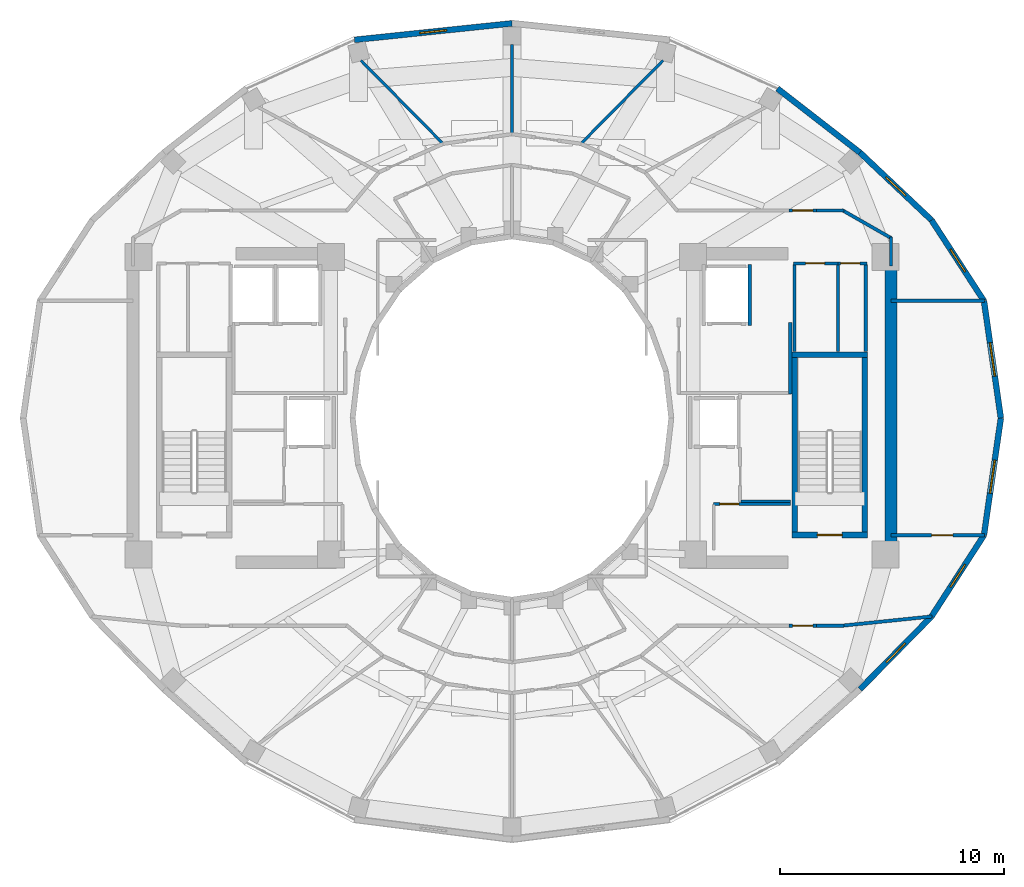
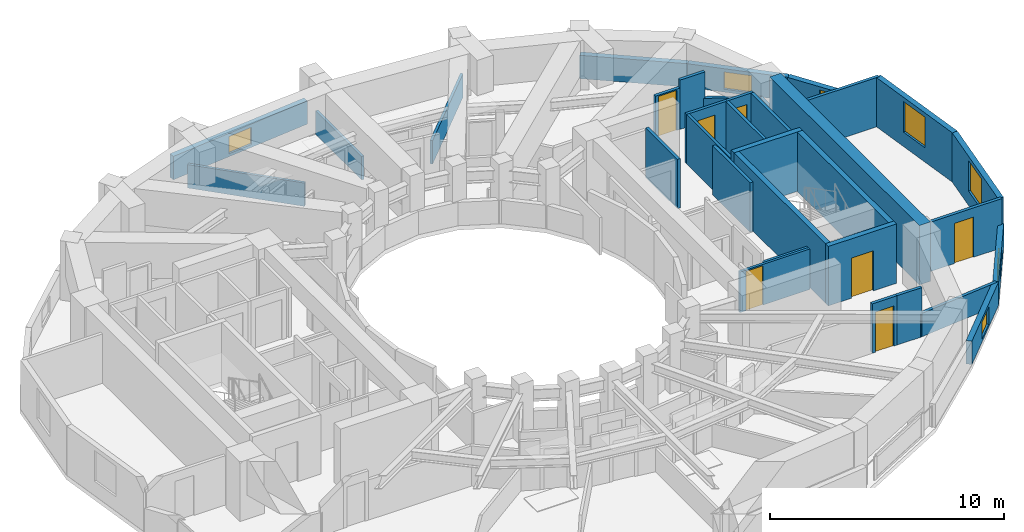
# One storey, part 14 of 17: 34 walls, 7 doors, 7 windows, 14 openings.
"""IFC4 building model written with IfcOpenShell, lengths in metres."""

from ifc_helpers import new_model, si_unit, direction, frame, frame_2d, origin, place, context, subcontext, project, spatial, rectangle, extrude, material, layer, layer_set, type_object, element, fill, save


model = new_model("IFC4")

# Units and contexts
model_context = context("Model", 3, precision=1e-05, world=origin(), true_north=direction((0.0, 1.0)))
body_context = subcontext(model_context, "Body", "Model", "MODEL_VIEW")
ifc_project = project(units=[si_unit("LENGTHUNIT", "METRE"), si_unit("AREAUNIT", "SQUARE_METRE"), si_unit("VOLUMEUNIT", "CUBIC_METRE"), si_unit("PLANEANGLEUNIT", "RADIAN"), si_unit("MASSUNIT", "GRAM", prefix="KILO")], contexts=[model_context])

# Site, building, storey
site_placement = place(None, origin())
site = spatial("IfcSite", under=ifc_project, at=site_placement, CompositionType="ELEMENT")
building_placement = place(site_placement, origin())
building = spatial("IfcBuilding", under=site, at=building_placement, Name="Solvane Sanctuary Tower", CompositionType="ELEMENT")
storey_placement = place(building_placement, frame((0.0, 0.0, 235.699951171875)))
storey = spatial("IfcBuildingStorey", under=building, at=storey_placement, Name="L72", CompositionType="ELEMENT", Elevation=235.699951171875)

# Walls
ifc_material_1 = material(Name="Concrete C50/60", Category="concrete")
ifc_layer_1 = layer(ifc_material_1, 0.550048828125, Name="Concrete C50/60")
ifc_layer_set_1 = layer_set([ifc_layer_1], Name="Concrete C50/60")
wall_type_1 = type_object("IfcWallType", Name="Wall W-CORE-550", PredefinedType="SHEAR", material=ifc_layer_set_1)
wall_1_placement = place(storey_placement, frame((48.949951171875, 17.050048828125, 0.0), z_axis=(0.0, 0.0, 1.0), x_axis=(0.0, 1.0, 0.0)))
element("IfcWall", 1, at=wall_1_placement, inside=storey, type_object=wall_type_1, Name="L72 Core Shear Wall EC-E", PredefinedType="SHEAR", context=body_context, shape_type="SweptSolid", body=[
    extrude(rectangle(XDim=12.800048828125, YDim=0.550048828125, at=frame_2d((6.39990234375, 0.0))), origin(), (0.0, 0.0, 1.0), 3.10009765625),
])
ifc_material_2 = material(Name="Acoustic Gypsum Partition Board")
ifc_layer_2 = layer(ifc_material_2, 0.14990234375, Name="Acoustic Gypsum Partition Board")
ifc_layer_set_2 = layer_set([ifc_layer_2], Name="Acoustic Gypsum Partition Board")
wall_type_2 = type_object("IfcWallType", Name="Wall W-CORR-150", PredefinedType="PARTITIONING", material=ifc_layer_set_2)
wall_2_placement = place(storey_placement, frame((44.449951171875, 24.080078125, 0.0), z_axis=(0.0, 0.0, 1.0), x_axis=(0.0, 1.0, 0.0)))
element("IfcWall", 2, at=wall_2_placement, inside=storey, type_object=wall_type_2, Name="L72 East Firefighting Lobby East Wall", PredefinedType="PARTITIONING", context=body_context, shape_type="SweptSolid", body=[
    extrude(rectangle(XDim=3.199951171875, YDim=0.14990234375, at=frame_2d((1.60009765625, 0.0))), origin(), (0.0, 0.0, 1.0), 2.574951171875),
])

# Wall, opening, door
wall_3_placement = place(storey_placement, frame((48.949951171875, 17.754638671875, 0.0), z_axis=(0.0, 0.0, 1.0), x_axis=(1.0, 0.0, 0.0)))
wall_3 = element("IfcWall", 3, at=wall_3_placement, inside=storey, type_object=wall_type_2, Name="L72 East Shoulder South Wall", PredefinedType="PARTITIONING", context=body_context, shape_type="SweptSolid", body=[
    extrude(rectangle(XDim=4.174560546875, YDim=0.14990234375, at=frame_2d((2.08740234375, 0.0))), origin(), (0.0, 0.0, 1.0), 2.574951171875),
])
opening_1_placement = place(wall_3_placement, frame((1.817138671875, 0.0, 0.0)))
opening_1 = element("IfcOpeningElement", 4, at=opening_1_placement, cuts=wall_3, Name="Opening D-L72-17", PredefinedType="OPENING", context=body_context, shape_type="SweptSolid", body=[
    extrude(rectangle(XDim=0.949951171875, YDim=2.10009765625, at=frame_2d((0.47509765625, 1.050048828125))), frame((0.0, 0.0849609375, 0.0), z_axis=(0.0, -1.0, 0.0), x_axis=(1.0, 0.0, 0.0)), (0.0, 0.0, 1.0), 0.169921875),
])
ifc_material_3 = material(Name="Engineered Tropical Hardwood", Category="wood")
door_type_1 = type_object("IfcDoorType", Name="Door D-ROOM-950", OperationType="NOTDEFINED", PredefinedType="DOOR", material=ifc_material_3)
door_1_placement = place(opening_1_placement, origin())
door_1 = element("IfcDoor", 5, at=door_1_placement, inside=storey, type_object=door_type_1, Name="L72 East Shoulder South Door", OperationType="SINGLE_SWING_LEFT", OverallHeight=2.10009765625, OverallWidth=0.949951171875, PredefinedType="DOOR", context=body_context, shape_type="SweptSolid", body=[
    extrude(rectangle(XDim=0.949951171875, YDim=2.10009765625, at=frame_2d((0.47509765625, 1.050048828125))), frame((0.0, 0.02490234375, 0.0), z_axis=(0.0, -1.0, 0.0), x_axis=(1.0, 0.0, 0.0)), (0.0, 0.0, 1.0), 0.050048828125),
])
fill(opening_1, door_1)

# Walls
wall_4_placement = place(storey_placement, frame((48.949951171875, 28.245361328125, 0.0), z_axis=(0.0, 0.0, 1.0), x_axis=(1.0, 0.0, 0.0)))
element("IfcWall", 6, at=wall_4_placement, inside=storey, type_object=wall_type_2, Name="L72 East Shoulder North Wall", PredefinedType="PARTITIONING", context=body_context, shape_type="SweptSolid", body=[
    extrude(rectangle(XDim=4.174560546875, YDim=0.14990234375, at=frame_2d((2.08740234375, 0.0))), origin(), (0.0, 0.0, 1.0), 2.574951171875),
])
wall_5_placement = place(storey_placement, frame((48.949951171875, 29.800048828125, 0.0), z_axis=(0.0, 0.0, 1.0), x_axis=(0.0, 1.0, 0.0)))
element("IfcWall", 7, at=wall_5_placement, inside=storey, type_object=wall_type_2, Name="L72 NE Corner Closer 1", PredefinedType="PARTITIONING", context=body_context, shape_type="SweptSolid", body=[
    extrude(rectangle(XDim=1.2900390625, YDim=0.14990234375, at=frame_2d((0.64501953125, 0.0))), origin(), (0.0, 0.0, 1.0), 1.219970703125),
])

# Wall, opening, door
wall_6_placement = place(storey_placement, frame((44.389892578125, 32.280029296875, 0.0), z_axis=(0.0, 0.0, 1.0), x_axis=(1.0, 0.0, 0.0)))
wall_6 = element("IfcWall", 8, at=wall_6_placement, inside=storey, type_object=wall_type_2, Name="L72 NE Corner Corridor Wall", PredefinedType="PARTITIONING", context=body_context, shape_type="SweptSolid", body=[
    extrude(rectangle(XDim=1.22021484375, YDim=0.14990234375, at=frame_2d((0.610107421875, 0.0))), origin(), (0.0, 0.0, 1.0), 2.16015625),
])
opening_2_placement = place(wall_6_placement, frame((0.159912109375, 0.0, 0.0)))
opening_2 = element("IfcOpeningElement", 9, at=opening_2_placement, cuts=wall_6, Name="Opening D-L72-19", PredefinedType="OPENING", context=body_context, shape_type="SweptSolid", body=[
    extrude(rectangle(XDim=0.89990234375, YDim=2.10009765625, at=frame_2d((0.449951171875, 1.050048828125))), frame((0.0, 0.0849609375, 0.0), z_axis=(0.0, -1.0, 0.0), x_axis=(1.0, 0.0, 0.0)), (0.0, 0.0, 1.0), 0.169921875),
])
door_type_2 = type_object("IfcDoorType", Name="Door D-WET-900", OperationType="NOTDEFINED", PredefinedType="DOOR", material=ifc_material_3)
door_2_placement = place(opening_2_placement, origin())
door_2 = element("IfcDoor", 10, at=door_2_placement, inside=storey, type_object=door_type_2, Name="L72 NE Corner Salon Door", OperationType="SINGLE_SWING_LEFT", OverallHeight=2.10009765625, OverallWidth=0.89990234375, PredefinedType="DOOR", context=body_context, shape_type="SweptSolid", body=[
    extrude(rectangle(XDim=0.89990234375, YDim=2.10009765625, at=frame_2d((0.449951171875, 1.050048828125))), frame((0.0, 0.02490234375, 0.0), z_axis=(0.0, -1.0, 0.0), x_axis=(1.0, 0.0, 0.0)), (0.0, 0.0, 1.0), 0.050048828125),
])
fill(opening_2, door_2)

# Walls
wall_7_placement = place(storey_placement, frame((45.610107421875, 32.280029296875, 0.0), z_axis=(0.0, 0.0, 1.0), x_axis=(1.0, 0.0, 0.0)))
element("IfcWall", 11, at=wall_7_placement, inside=storey, type_object=wall_type_2, Name="L72 NE Corner Corridor Wall", PredefinedType="PARTITIONING", context=body_context, shape_type="SweptSolid", body=[
    extrude(rectangle(XDim=1.239990234375, YDim=0.14990234375, at=frame_2d((0.6201171875, 0.0))), origin(), (0.0, 0.0, 1.0), 2.574951171875),
])
wall_8_placement = place(storey_placement, frame((46.756591796875, 32.3046875, 0.0), z_axis=(0.0, 0.0, 1.0), x_axis=(0.867991349648, -0.496579315857, 0.0)))
element("IfcWall", 12, at=wall_8_placement, inside=storey, type_object=wall_type_2, Name="L72 NE Corner Wing Wall", PredefinedType="PARTITIONING", context=body_context, shape_type="SweptSolid", body=[
    extrude(rectangle(XDim=2.56689453125, YDim=0.14990234375, at=frame_2d((1.283447265625, 0.0))), origin(), (0.0, 0.0, 1.0), 1.219970703125),
])

# Wall, opening, door
wall_9_placement = place(storey_placement, frame((44.389892578125, 13.719970703125, 0.0), z_axis=(0.0, 0.0, 1.0), x_axis=(1.0, 0.0, 0.0)))
wall_9 = element("IfcWall", 13, at=wall_9_placement, inside=storey, type_object=wall_type_2, Name="L72 SE Corner Corridor Wall", PredefinedType="PARTITIONING", context=body_context, shape_type="SweptSolid", body=[
    extrude(rectangle(XDim=1.22021484375, YDim=0.14990234375, at=frame_2d((0.610107421875, 0.0))), origin(), (0.0, 0.0, 1.0), 2.574951171875),
])
opening_3_placement = place(wall_9_placement, frame((0.159912109375, 0.0, 0.0)))
opening_3 = element("IfcOpeningElement", 14, at=opening_3_placement, cuts=wall_9, Name="Opening D-L72-22", PredefinedType="OPENING", context=body_context, shape_type="SweptSolid", body=[
    extrude(rectangle(XDim=0.89990234375, YDim=2.10009765625, at=frame_2d((0.449951171875, 1.050048828125))), frame((0.0, 0.0849609375, 0.0), z_axis=(0.0, -1.0, 0.0), x_axis=(1.0, 0.0, 0.0)), (0.0, 0.0, 1.0), 0.169921875),
])
door_3_placement = place(opening_3_placement, origin())
door_3 = element("IfcDoor", 15, at=door_3_placement, inside=storey, type_object=door_type_2, Name="L72 SE Corner Salon Door", OperationType="SINGLE_SWING_RIGHT", OverallHeight=2.10009765625, OverallWidth=0.89990234375, PredefinedType="DOOR", context=body_context, shape_type="SweptSolid", body=[
    extrude(rectangle(XDim=0.89990234375, YDim=2.10009765625, at=frame_2d((0.449951171875, 1.050048828125))), frame((0.0, 0.02490234375, 0.0), z_axis=(0.0, -1.0, 0.0), x_axis=(1.0, 0.0, 0.0)), (0.0, 0.0, 1.0), 0.050048828125),
])
fill(opening_3, door_3)

# Walls
wall_10_placement = place(storey_placement, frame((45.610107421875, 13.719970703125, 0.0), z_axis=(0.0, 0.0, 1.0), x_axis=(1.0, 0.0, 0.0)))
element("IfcWall", 16, at=wall_10_placement, inside=storey, type_object=wall_type_2, Name="L72 SE Corner Corridor Wall", PredefinedType="PARTITIONING", context=body_context, shape_type="SweptSolid", body=[
    extrude(rectangle(XDim=1.239990234375, YDim=0.14990234375, at=frame_2d((0.6201171875, 0.0))), origin(), (0.0, 0.0, 1.0), 2.574951171875),
])
wall_11_placement = place(storey_placement, frame((46.750244140625, 13.71484375, 0.0), z_axis=(0.0, 0.0, 1.0), x_axis=(0.994734711466, 0.102483431859, 0.0)))
element("IfcWall", 17, at=wall_11_placement, inside=storey, type_object=wall_type_2, Name="L72 SE Corner Wing Wall", PredefinedType="PARTITIONING", context=body_context, shape_type="SweptSolid", body=[
    extrude(rectangle(XDim=4.04736328125, YDim=0.14990234375, at=frame_2d((2.023681640625, 0.0))), origin(), (0.0, 0.0, 1.0), 1.219970703125),
])

# Wall, opening, window
ifc_material_4 = material(Name="Precast concrete C40/50", Category="concrete")
ifc_layer_3 = layer(ifc_material_4, 0.260009765625, Name="Precast concrete C40/50")
ifc_layer_set_3 = layer_set([ifc_layer_3], Name="Precast concrete C40/50")
wall_type_3 = type_object("IfcWallType", Name="Wall W-EXT-250", PredefinedType="STANDARD", material=ifc_layer_set_3)
wall_12_placement = place(storey_placement, frame((53.860107421875, 23.0, 0.0), z_axis=(0.0, 0.0, 1.0), x_axis=(-0.142712754019, 0.989764148593, 0.0)))
wall_12 = element("IfcWall", 18, at=wall_12_placement, inside=storey, type_object=wall_type_3, Name="L72 Ceramic-Printed Facade Wall 00", PredefinedType="STANDARD", context=body_context, shape_type="SweptSolid", body=[
    extrude(rectangle(XDim=5.29296875, YDim=0.260009765625, at=frame_2d((2.646484375, 0.0))), origin(), (0.0, 0.0, 1.0), 2.570068359375),
])
opening_4_placement = place(wall_12_placement, frame((1.896484375, 0.0, 0.75)))
opening_4 = element("IfcOpeningElement", 19, at=opening_4_placement, cuts=wall_12, Name="Opening WN-OPER-1500", PredefinedType="OPENING", context=body_context, shape_type="SweptSolid", body=[
    extrude(rectangle(XDim=1.5, YDim=1.60009765625, at=frame_2d((0.75, 0.800048828125))), frame((0.0, 0.139892578125, 0.0), z_axis=(0.0, -1.0, 0.0), x_axis=(1.0, 0.0, 0.0)), (0.0, 0.0, 1.0), 0.280029296875),
])
ifc_material_5 = material(Name="Dark Ceramic-Fritted Low-E Glass", Category="glass")
window_type_1 = type_object("IfcWindowType", Name="Window WN-OPER-1500", PartitioningType="SINGLE_PANEL", PredefinedType="WINDOW", material=ifc_material_5)
window_1_placement = place(opening_4_placement, origin())
window_1 = element("IfcWindow", 20, at=window_1_placement, inside=storey, type_object=window_type_1, Name="L72 Operable Facade Window 00", OverallHeight=1.60009765625, OverallWidth=1.5, PartitioningType="SINGLE_PANEL", PredefinedType="WINDOW", context=body_context, shape_type="SweptSolid", body=[
    extrude(rectangle(XDim=1.5, YDim=1.60009765625, at=frame_2d((0.75, 0.800048828125))), frame((0.0, 0.030029296875, 0.0), z_axis=(0.0, -1.0, 0.0), x_axis=(1.0, 0.0, 0.0)), (0.0, 0.0, 1.0), 0.06005859375),
])
fill(opening_4, window_1)

wall_13_placement = place(storey_placement, frame((53.104736328125, 28.23876953125, 0.0), z_axis=(0.0, 0.0, 1.0), x_axis=(-0.544475908819, 0.838776480784, 0.0)))
wall_13 = element("IfcWall", 21, at=wall_13_placement, inside=storey, type_object=wall_type_3, Name="L72 Ceramic-Printed Facade Wall 01", PredefinedType="STANDARD", context=body_context, shape_type="SweptSolid", body=[
    extrude(rectangle(XDim=4.3046875, YDim=0.260009765625, at=frame_2d((2.15234375, 0.0))), origin(), (0.0, 0.0, 1.0), 1.219970703125),
])
opening_5_placement = place(wall_13_placement, frame((1.55224609375, 0.0, 0.14990234375)))
opening_5 = element("IfcOpeningElement", 22, at=opening_5_placement, cuts=wall_13, Name="Opening WN-OPER-1200", PredefinedType="OPENING", context=body_context, shape_type="SweptSolid", body=[
    extrude(rectangle(XDim=1.199951171875, YDim=0.89990234375, at=frame_2d((0.60009765625, 0.449951171875))), frame((0.0, 0.139892578125, 0.0), z_axis=(0.0, -1.0, 0.0), x_axis=(1.0, 0.0, 0.0)), (0.0, 0.0, 1.0), 0.280029296875),
])
window_type_2 = type_object("IfcWindowType", Name="Window WN-OPER-1200", PartitioningType="SINGLE_PANEL", PredefinedType="WINDOW", material=ifc_material_5)
window_2_placement = place(opening_5_placement, origin())
window_2 = element("IfcWindow", 23, at=window_2_placement, inside=storey, type_object=window_type_2, Name="L72 Operable Facade Window 01", OverallHeight=0.89990234375, OverallWidth=1.199951171875, PartitioningType="SINGLE_PANEL", PredefinedType="WINDOW", context=body_context, shape_type="SweptSolid", body=[
    extrude(rectangle(XDim=1.199951171875, YDim=0.89990234375, at=frame_2d((0.60009765625, 0.449951171875))), frame((0.0, 0.030029296875, 0.0), z_axis=(0.0, -1.0, 0.0), x_axis=(1.0, 0.0, 0.0)), (0.0, 0.0, 1.0), 0.06005859375),
])
fill(opening_5, window_2)

wall_14_placement = place(storey_placement, frame((50.760986328125, 31.849365234375, 0.0), z_axis=(0.0, 0.0, 1.0), x_axis=(-0.72731899451, 0.686299555752, 0.0)))
wall_14 = element("IfcWall", 24, at=wall_14_placement, inside=storey, type_object=wall_type_3, Name="L72 Ceramic-Printed Facade Wall 02", PredefinedType="STANDARD", context=body_context, shape_type="SweptSolid", body=[
    extrude(rectangle(XDim=4.404296875, YDim=0.260009765625, at=frame_2d((2.2021484375, 0.0))), origin(), (0.0, 0.0, 1.0), 1.219970703125),
])
opening_6_placement = place(wall_14_placement, frame((1.60205078125, 0.0, 0.14990234375)))
opening_6 = element("IfcOpeningElement", 25, at=opening_6_placement, cuts=wall_14, Name="Opening WN-OPER-1200", PredefinedType="OPENING", context=body_context, shape_type="SweptSolid", body=[
    extrude(rectangle(XDim=1.199951171875, YDim=0.89990234375, at=frame_2d((0.60009765625, 0.449951171875))), frame((0.0, 0.139892578125, 0.0), z_axis=(0.0, -1.0, 0.0), x_axis=(1.0, 0.0, 0.0)), (0.0, 0.0, 1.0), 0.280029296875),
])
window_3_placement = place(opening_6_placement, origin())
window_3 = element("IfcWindow", 26, at=window_3_placement, inside=storey, type_object=window_type_2, Name="L72 Operable Facade Window 02", OverallHeight=0.89990234375, OverallWidth=1.199951171875, PartitioningType="SINGLE_PANEL", PredefinedType="WINDOW", context=body_context, shape_type="SweptSolid", body=[
    extrude(rectangle(XDim=1.199951171875, YDim=0.89990234375, at=frame_2d((0.60009765625, 0.449951171875))), frame((0.0, 0.030029296875, 0.0), z_axis=(0.0, -1.0, 0.0), x_axis=(1.0, 0.0, 0.0)), (0.0, 0.0, 1.0), 0.06005859375),
])
fill(opening_6, window_3)

# Wall
wall_15_placement = place(storey_placement, frame((47.5576171875, 34.8720703125, 0.0), z_axis=(0.0, 0.0, 1.0), x_axis=(-0.790126214723, 0.612944177563, 0.0)))
element("IfcWall", 27, at=wall_15_placement, inside=storey, type_object=wall_type_3, Name="L72 Ceramic-Printed Facade Wall 03", PredefinedType="STANDARD", context=body_context, shape_type="SweptSolid", body=[
    extrude(rectangle(XDim=4.6669921875, YDim=0.260009765625, at=frame_2d((2.33349609375, 0.0))), origin(), (0.0, 0.0, 1.0), 1.219970703125),
])

# Wall, opening, window
wall_16_placement = place(storey_placement, frame((32.0, 40.64794921875, 0.0), z_axis=(0.0, 0.0, 1.0), x_axis=(-0.994582822721, -0.103947144014, 0.0)))
wall_16 = element("IfcWall", 28, at=wall_16_placement, inside=storey, type_object=wall_type_3, Name="L72 Ceramic-Printed Facade Wall 06", PredefinedType="STANDARD", context=body_context, shape_type="SweptSolid", body=[
    extrude(rectangle(XDim=7.081298828125, YDim=0.260009765625, at=frame_2d((3.54052734375, 0.0))), origin(), (0.0, 0.0, 1.0), 1.219970703125),
])
opening_7_placement = place(wall_16_placement, frame((2.940673828125, 0.0, 0.14990234375)))
opening_7 = element("IfcOpeningElement", 29, at=opening_7_placement, cuts=wall_16, Name="Opening WN-OPER-1200", PredefinedType="OPENING", context=body_context, shape_type="SweptSolid", body=[
    extrude(rectangle(XDim=1.199951171875, YDim=0.89990234375, at=frame_2d((0.60009765625, 0.449951171875))), frame((0.0, 0.139892578125, 0.0), z_axis=(0.0, -1.0, 0.0), x_axis=(1.0, 0.0, 0.0)), (0.0, 0.0, 1.0), 0.280029296875),
])
window_4_placement = place(opening_7_placement, origin())
window_4 = element("IfcWindow", 30, at=window_4_placement, inside=storey, type_object=window_type_2, Name="L72 Operable Facade Window 06", OverallHeight=0.89990234375, OverallWidth=1.199951171875, PartitioningType="SINGLE_PANEL", PredefinedType="WINDOW", context=body_context, shape_type="SweptSolid", body=[
    extrude(rectangle(XDim=1.199951171875, YDim=0.89990234375, at=frame_2d((0.60009765625, 0.449951171875))), frame((0.0, 0.030029296875, 0.0), z_axis=(0.0, -1.0, 0.0), x_axis=(1.0, 0.0, 0.0)), (0.0, 0.0, 1.0), 0.06005859375),
])
fill(opening_7, window_4)

wall_17_placement = place(storey_placement, frame((47.5576171875, 10.87109375, 0.0), z_axis=(0.0, 0.0, 1.0), x_axis=(0.700642973333, 0.713512034881, 0.0)))
wall_17 = element("IfcWall", 31, at=wall_17_placement, inside=storey, type_object=wall_type_3, Name="L72 Ceramic-Printed Facade Wall 21", PredefinedType="STANDARD", context=body_context, shape_type="SweptSolid", body=[
    extrude(rectangle(XDim=4.572021484375, YDim=0.260009765625, at=frame_2d((2.2861328125, 0.0))), origin(), (0.0, 0.0, 1.0), 1.219970703125),
])
opening_8_placement = place(wall_17_placement, frame((1.68603515625, 0.0, 0.14990234375)))
opening_8 = element("IfcOpeningElement", 32, at=opening_8_placement, cuts=wall_17, Name="Opening WN-OPER-1200", PredefinedType="OPENING", context=body_context, shape_type="SweptSolid", body=[
    extrude(rectangle(XDim=1.199951171875, YDim=0.89990234375, at=frame_2d((0.60009765625, 0.449951171875))), frame((0.0, 0.139892578125, 0.0), z_axis=(0.0, -1.0, 0.0), x_axis=(1.0, 0.0, 0.0)), (0.0, 0.0, 1.0), 0.280029296875),
])
window_5_placement = place(opening_8_placement, origin())
window_5 = element("IfcWindow", 33, at=window_5_placement, inside=storey, type_object=window_type_2, Name="L72 Operable Facade Window 21", OverallHeight=0.89990234375, OverallWidth=1.199951171875, PartitioningType="SINGLE_PANEL", PredefinedType="WINDOW", context=body_context, shape_type="SweptSolid", body=[
    extrude(rectangle(XDim=1.199951171875, YDim=0.89990234375, at=frame_2d((0.60009765625, 0.449951171875))), frame((0.0, 0.030029296875, 0.0), z_axis=(0.0, -1.0, 0.0), x_axis=(1.0, 0.0, 0.0)), (0.0, 0.0, 1.0), 0.06005859375),
])
fill(opening_8, window_5)

wall_18_placement = place(storey_placement, frame((50.760986328125, 14.13330078125, 0.0), z_axis=(0.0, 0.0, 1.0), x_axis=(0.542641766008, 0.839964233634, 0.0)))
wall_18 = element("IfcWall", 34, at=wall_18_placement, inside=storey, type_object=wall_type_3, Name="L72 Ceramic-Printed Facade Wall 22", PredefinedType="STANDARD", context=body_context, shape_type="SweptSolid", body=[
    extrude(rectangle(XDim=4.319091796875, YDim=0.260009765625, at=frame_2d((2.15966796875, 0.0))), origin(), (0.0, 0.0, 1.0), 1.219970703125),
])
opening_9_placement = place(wall_18_placement, frame((1.5595703125, 0.0, 0.14990234375)))
opening_9 = element("IfcOpeningElement", 35, at=opening_9_placement, cuts=wall_18, Name="Opening WN-OPER-1200", PredefinedType="OPENING", context=body_context, shape_type="SweptSolid", body=[
    extrude(rectangle(XDim=1.199951171875, YDim=0.89990234375, at=frame_2d((0.60009765625, 0.449951171875))), frame((0.0, 0.139892578125, 0.0), z_axis=(0.0, -1.0, 0.0), x_axis=(1.0, 0.0, 0.0)), (0.0, 0.0, 1.0), 0.280029296875),
])
window_6_placement = place(opening_9_placement, origin())
window_6 = element("IfcWindow", 36, at=window_6_placement, inside=storey, type_object=window_type_2, Name="L72 Operable Facade Window 22", OverallHeight=0.89990234375, OverallWidth=1.199951171875, PartitioningType="SINGLE_PANEL", PredefinedType="WINDOW", context=body_context, shape_type="SweptSolid", body=[
    extrude(rectangle(XDim=1.199951171875, YDim=0.89990234375, at=frame_2d((0.60009765625, 0.449951171875))), frame((0.0, 0.030029296875, 0.0), z_axis=(0.0, -1.0, 0.0), x_axis=(1.0, 0.0, 0.0)), (0.0, 0.0, 1.0), 0.06005859375),
])
fill(opening_9, window_6)

wall_19_placement = place(storey_placement, frame((53.104736328125, 17.76123046875, 0.0), z_axis=(0.0, 0.0, 1.0), x_axis=(0.142712754019, 0.989764148593, 0.0)))
wall_19 = element("IfcWall", 37, at=wall_19_placement, inside=storey, type_object=wall_type_3, Name="L72 Ceramic-Printed Facade Wall 23", PredefinedType="STANDARD", context=body_context, shape_type="SweptSolid", body=[
    extrude(rectangle(XDim=5.29296875, YDim=0.260009765625, at=frame_2d((2.646484375, 0.0))), origin(), (0.0, 0.0, 1.0), 2.570068359375),
])
opening_10_placement = place(wall_19_placement, frame((1.896484375, 0.0, 0.75)))
opening_10 = element("IfcOpeningElement", 38, at=opening_10_placement, cuts=wall_19, Name="Opening WN-OPER-1500", PredefinedType="OPENING", context=body_context, shape_type="SweptSolid", body=[
    extrude(rectangle(XDim=1.5, YDim=1.60009765625, at=frame_2d((0.75, 0.800048828125))), frame((0.0, 0.139892578125, 0.0), z_axis=(0.0, -1.0, 0.0), x_axis=(1.0, 0.0, 0.0)), (0.0, 0.0, 1.0), 0.280029296875),
])
window_7_placement = place(opening_10_placement, origin())
window_7 = element("IfcWindow", 39, at=window_7_placement, inside=storey, type_object=window_type_1, Name="L72 Operable Facade Window 23", OverallHeight=1.60009765625, OverallWidth=1.5, PartitioningType="SINGLE_PANEL", PredefinedType="WINDOW", context=body_context, shape_type="SweptSolid", body=[
    extrude(rectangle(XDim=1.5, YDim=1.60009765625, at=frame_2d((0.75, 0.800048828125))), frame((0.0, 0.030029296875, 0.0), z_axis=(0.0, -1.0, 0.0), x_axis=(1.0, 0.0, 0.0)), (0.0, 0.0, 1.0), 0.06005859375),
])
fill(opening_10, window_7)

# Wall, opening, door
ifc_layer_4 = layer(ifc_material_2, 0.125, Name="Acoustic Gypsum Partition Board")
ifc_layer_set_4 = layer_set([ifc_layer_4], Name="Acoustic Gypsum Partition Board")
wall_type_4 = type_object("IfcWallType", Name="Wall W-PART-125", PredefinedType="PARTITIONING", material=ifc_layer_set_4)
wall_20_placement = place(storey_placement, frame((41.0, 19.159912109375, 0.0), z_axis=(0.0, 0.0, 1.0), x_axis=(1.0, 0.0, 0.0)))
wall_20 = element("IfcWall", 40, at=wall_20_placement, inside=storey, type_object=wall_type_4, Name="L72 Reclaimed Room Partition PLE", PredefinedType="PARTITIONING", context=body_context, shape_type="SweptSolid", body=[
    extrude(rectangle(XDim=3.449951171875, YDim=0.125, at=frame_2d((1.72509765625, 0.0))), origin(), (0.0, 0.0, 1.0), 2.1201171875),
])
opening_11_placement = place(wall_20_placement, frame((0.292724609375, 0.0, 0.0)))
opening_11 = element("IfcOpeningElement", 41, at=opening_11_placement, cuts=wall_20, Name="Opening D-L72-06", PredefinedType="OPENING", context=body_context, shape_type="SweptSolid", body=[
    extrude(rectangle(XDim=0.85009765625, YDim=2.050048828125, at=frame_2d((0.425048828125, 1.02490234375))), frame((0.0, 0.072509765625, 0.0), z_axis=(0.0, -1.0, 0.0), x_axis=(1.0, 0.0, 0.0)), (0.0, 0.0, 1.0), 0.14501953125),
])
ifc_material_6 = material(Name="Architectural Stainless Steel 316", Category="steel")
door_type_3 = type_object("IfcDoorType", Name="Door D-RISER", OperationType="NOTDEFINED", PredefinedType="DOOR", material=ifc_material_6)
door_4_placement = place(opening_11_placement, origin())
door_4 = element("IfcDoor", 42, at=door_4_placement, inside=storey, type_object=door_type_3, Name="L72 Reclaimed Room Door PLE-1", OperationType="SINGLE_SWING_RIGHT", OverallHeight=2.050048828125, OverallWidth=0.85009765625, PredefinedType="DOOR", context=body_context, shape_type="SweptSolid", body=[
    extrude(rectangle(XDim=0.85009765625, YDim=2.050048828125, at=frame_2d((0.425048828125, 1.02490234375))), frame((0.0, 0.02490234375, 0.0), z_axis=(0.0, -1.0, 0.0), x_axis=(1.0, 0.0, 0.0)), (0.0, 0.0, 1.0), 0.050048828125),
])
fill(opening_11, door_4)

# Walls
wall_21_placement = place(storey_placement, frame((42.239990234375, 19.280029296875, 0.0), z_axis=(0.0, 0.0, 1.0), x_axis=(1.0, 0.0, 0.0)))
element("IfcWall", 43, at=wall_21_placement, inside=storey, type_object=wall_type_4, Name="L72 Reclaimed Room Closer Wall PME-1", PredefinedType="PARTITIONING", context=body_context, shape_type="SweptSolid", body=[
    extrude(rectangle(XDim=2.2099609375, YDim=0.125, at=frame_2d((1.10498046875, 0.0))), origin(), (0.0, 0.0, 1.0), 2.1201171875),
])
wall_22_placement = place(storey_placement, frame((35.117919921875, 35.304443359375, 0.0), z_axis=(0.0, 0.0, 1.0), x_axis=(0.702191571271, 0.711988059756, 0.0)))
element("IfcWall", 44, at=wall_22_placement, inside=storey, type_object=wall_type_4, Name="L72 Radial Compartment Wall 075", PredefinedType="PARTITIONING", context=body_context, shape_type="SweptSolid", body=[
    extrude(rectangle(XDim=5.18359375, YDim=0.125, at=frame_2d((2.591796875, 0.0))), origin(), (0.0, 0.0, 1.0), 1.219970703125),
])
wall_23_placement = place(storey_placement, frame((32.0, 35.7529296875, 0.0), z_axis=(0.0, 0.0, 1.0), x_axis=(0.0, 1.0, 0.0)))
element("IfcWall", 45, at=wall_23_placement, inside=storey, type_object=wall_type_4, Name="L72 Radial Compartment Wall 090", PredefinedType="PARTITIONING", context=body_context, shape_type="SweptSolid", body=[
    extrude(rectangle(XDim=3.947021484375, YDim=0.125, at=frame_2d((1.9736328125, 0.0))), origin(), (0.0, 0.0, 1.0), 1.219970703125),
])
wall_24_placement = place(storey_placement, frame((28.882080078125, 35.304443359375, 0.0), z_axis=(0.0, 0.0, 1.0), x_axis=(-0.702191571271, 0.711988059756, 0.0)))
element("IfcWall", 46, at=wall_24_placement, inside=storey, type_object=wall_type_4, Name="L72 Radial Compartment Wall 105", PredefinedType="PARTITIONING", context=body_context, shape_type="SweptSolid", body=[
    extrude(rectangle(XDim=5.18359375, YDim=0.125, at=frame_2d((2.591796875, 0.0))), origin(), (0.0, 0.0, 1.0), 1.219970703125),
])
ifc_layer_5 = layer(ifc_material_1, 0.14990234375, Name="Concrete C50/60")
ifc_layer_set_5 = layer_set([ifc_layer_5], Name="Concrete C50/60")
wall_type_5 = type_object("IfcWallType", Name="Wall W-SHAFT-150", PredefinedType="SOLIDWALL", material=ifc_layer_set_5)
wall_25_placement = place(storey_placement, frame((42.6298828125, 27.139892578125, 0.0), z_axis=(0.0, 0.0, 1.0), x_axis=(0.0, 1.0, 0.0)))
element("IfcWall", 47, at=wall_25_placement, inside=storey, type_object=wall_type_5, Name="L72 FFL-2 Lift Shaft Wall S2", PredefinedType="SOLIDWALL", context=body_context, shape_type="SweptSolid", body=[
    extrude(rectangle(XDim=2.72021484375, YDim=0.14990234375, at=frame_2d((1.360107421875, 0.0))), origin(), (0.0, 0.0, 1.0), 2.574951171875),
])

# Wall, opening, door
ifc_layer_6 = layer(ifc_material_1, 0.25, Name="Concrete C50/60")
ifc_layer_set_6 = layer_set([ifc_layer_6], Name="Concrete C50/60")
wall_type_6 = type_object("IfcWallType", Name="Wall W-SHAFT-250", PredefinedType="SOLIDWALL", material=ifc_layer_set_6)
wall_26_placement = place(storey_placement, frame((44.52490234375, 17.77001953125, 0.0), z_axis=(0.0, 0.0, 1.0), x_axis=(1.0, 0.0, 0.0)))
wall_26 = element("IfcWall", 48, at=wall_26_placement, inside=storey, type_object=wall_type_6, Name="L72 ST-2 Load-Bearing Shaft Wall S", PredefinedType="SOLIDWALL", context=body_context, shape_type="SweptSolid", body=[
    extrude(rectangle(XDim=3.3701171875, YDim=0.25, at=frame_2d((1.68505859375, 0.0))), origin(), (0.0, 0.0, 1.0), 3.10009765625),
])
opening_12_placement = place(wall_26_placement, frame((1.135009765625, 0.0, 0.0)))
opening_12 = element("IfcOpeningElement", 49, at=opening_12_placement, cuts=wall_26, Name="Opening D-L72-02", PredefinedType="OPENING", context=body_context, shape_type="SweptSolid", body=[
    extrude(rectangle(XDim=1.10009765625, YDim=2.10009765625, at=frame_2d((0.550048828125, 1.050048828125))), frame((0.0, 0.135009765625, 0.0), z_axis=(0.0, -1.0, 0.0), x_axis=(1.0, 0.0, 0.0)), (0.0, 0.0, 1.0), 0.27001953125),
])
door_type_4 = type_object("IfcDoorType", Name="Door D-STAIR", OperationType="NOTDEFINED", PredefinedType="DOOR", material=ifc_material_6)
door_5_placement = place(opening_12_placement, origin())
door_5 = element("IfcDoor", 50, at=door_5_placement, inside=storey, type_object=door_type_4, Name="L72 ST-2 Exit Stair Fire Door", OperationType="SINGLE_SWING_RIGHT", OverallHeight=2.10009765625, OverallWidth=1.10009765625, PredefinedType="DOOR", context=body_context, shape_type="SweptSolid", body=[
    extrude(rectangle(XDim=1.10009765625, YDim=2.10009765625, at=frame_2d((0.550048828125, 1.050048828125))), frame((0.0, 0.02490234375, 0.0), z_axis=(0.0, -1.0, 0.0), x_axis=(1.0, 0.0, 0.0)), (0.0, 0.0, 1.0), 0.050048828125),
])
fill(opening_12, door_5)

# Walls
wall_27_placement = place(storey_placement, frame((44.52490234375, 25.830078125, 0.0), z_axis=(0.0, 0.0, 1.0), x_axis=(1.0, 0.0, 0.0)))
element("IfcWall", 51, at=wall_27_placement, inside=storey, type_object=wall_type_6, Name="L72 ST-2 Load-Bearing Shaft Wall N", PredefinedType="SOLIDWALL", context=body_context, shape_type="SweptSolid", body=[
    extrude(rectangle(XDim=3.3701171875, YDim=0.25, at=frame_2d((1.68505859375, 0.0))), origin(), (0.0, 0.0, 1.0), 3.10009765625),
])
for number, where, z_axis, x_axis, name in (
    (52, (44.64990234375, 17.89501953125, 0.0), (0.0, 0.0, 1.0), (0.0, 1.0, 0.0), "L72 ST-2 Load-Bearing Shaft Wall W"),
    (53, (47.77001953125, 17.89501953125, 0.0), (0.0, 0.0, 1.0), (0.0, 1.0, 0.0), "L72 ST-2 Load-Bearing Shaft Wall E"),
):
    element("IfcWall", number, at=place(storey_placement, frame(where, z_axis=z_axis, x_axis=x_axis)), inside=storey, type_object=wall_type_6, Name=name, PredefinedType="SOLIDWALL", context=body_context, shape_type="SweptSolid", body=[
        extrude(rectangle(XDim=7.81005859375, YDim=0.25, at=frame_2d((3.905029296875, 0.0))), origin(), (0.0, 0.0, 1.0), 3.10009765625),
    ])

# Wall, opening, door
ifc_layer_7 = layer(ifc_material_2, 0.139892578125, Name="Acoustic Gypsum Partition Board")
ifc_layer_set_7 = layer_set([ifc_layer_7], Name="Acoustic Gypsum Partition Board")
wall_type_7 = type_object("IfcWallType", Name="Wall W-WET-140", PredefinedType="PLUMBINGWALL", material=ifc_layer_set_7)
wall_28_placement = place(storey_placement, frame((44.580078125, 29.919921875, 0.0), z_axis=(0.0, 0.0, 1.0), x_axis=(1.0, 0.0, 0.0)))
wall_28 = element("IfcWall", 54, at=wall_28_placement, inside=storey, type_object=wall_type_7, Name="L72 Core Service Front Wall KE1", PredefinedType="PLUMBINGWALL", context=body_context, shape_type="SweptSolid", body=[
    extrude(rectangle(XDim=2.0, YDim=0.139892578125, at=frame_2d((1.0, 0.0))), origin(), (0.0, 0.0, 1.0), 2.574951171875),
])
opening_13_placement = place(wall_28_placement, frame((0.550048828125, 0.0, 0.0)))
opening_13 = element("IfcOpeningElement", 55, at=opening_13_placement, cuts=wall_28, Name="Opening D-L72-11", PredefinedType="OPENING", context=body_context, shape_type="SweptSolid", body=[
    extrude(rectangle(XDim=0.85009765625, YDim=2.050048828125, at=frame_2d((0.425048828125, 1.02490234375))), frame((0.0, 0.079833984375, 0.0), z_axis=(0.0, -1.0, 0.0), x_axis=(1.0, 0.0, 0.0)), (0.0, 0.0, 1.0), 0.159912109375),
])
door_6_placement = place(opening_13_placement, origin())
door_6 = element("IfcDoor", 56, at=door_6_placement, inside=storey, type_object=door_type_3, Name="L72 Core Service Room Door KE1-1", OperationType="SINGLE_SWING_LEFT", OverallHeight=2.050048828125, OverallWidth=0.85009765625, PredefinedType="DOOR", context=body_context, shape_type="SweptSolid", body=[
    extrude(rectangle(XDim=0.85009765625, YDim=2.050048828125, at=frame_2d((0.425048828125, 1.02490234375))), frame((0.0, 0.02490234375, 0.0), z_axis=(0.0, -1.0, 0.0), x_axis=(1.0, 0.0, 0.0)), (0.0, 0.0, 1.0), 0.050048828125),
])
fill(opening_13, door_6)

# Walls
for number, where, z_axis, x_axis, name in (
    (57, (44.639892578125, 25.97998046875, 0.0), (0.0, 0.0, 1.0), (0.0, 1.0, 0.0), "L72 Core Service Side Wall KE1-1"),
    (58, (46.580078125, 25.97998046875, 0.0), (0.0, 0.0, 1.0), (0.0, 1.0, 0.0), "L72 Core Service Side Wall KE1-2"),
):
    element("IfcWall", number, at=place(storey_placement, frame(where, z_axis=z_axis, x_axis=x_axis)), inside=storey, type_object=wall_type_7, Name=name, PredefinedType="PLUMBINGWALL", context=body_context, shape_type="SweptSolid", body=[
        extrude(rectangle(XDim=3.880126953125, YDim=0.139892578125, at=frame_2d((1.93994140625, 0.0))), origin(), (0.0, 0.0, 1.0), 2.574951171875),
    ])

# Wall, opening, door
wall_29_placement = place(storey_placement, frame((46.580078125, 29.919921875, 0.0), z_axis=(0.0, 0.0, 1.0), x_axis=(1.0, 0.0, 0.0)))
wall_29 = element("IfcWall", 59, at=wall_29_placement, inside=storey, type_object=wall_type_7, Name="L72 Core Service Front Wall KE2", PredefinedType="PLUMBINGWALL", context=body_context, shape_type="SweptSolid", body=[
    extrude(rectangle(XDim=1.2998046875, YDim=0.139892578125, at=frame_2d((0.64990234375, 0.0))), origin(), (0.0, 0.0, 1.0), 2.574951171875),
])
opening_14_placement = place(wall_29_placement, frame((0.1201171875, 0.0, 0.0)))
opening_14 = element("IfcOpeningElement", 60, at=opening_14_placement, cuts=wall_29, Name="Opening D-L72-12", PredefinedType="OPENING", context=body_context, shape_type="SweptSolid", body=[
    extrude(rectangle(XDim=0.85009765625, YDim=2.050048828125, at=frame_2d((0.425048828125, 1.02490234375))), frame((0.0, 0.079833984375, 0.0), z_axis=(0.0, -1.0, 0.0), x_axis=(1.0, 0.0, 0.0)), (0.0, 0.0, 1.0), 0.159912109375),
])
door_7_placement = place(opening_14_placement, origin())
door_7 = element("IfcDoor", 61, at=door_7_placement, inside=storey, type_object=door_type_3, Name="L72 Core Service Room Door KE2-1", OperationType="SINGLE_SWING_RIGHT", OverallHeight=2.050048828125, OverallWidth=0.85009765625, PredefinedType="DOOR", context=body_context, shape_type="SweptSolid", body=[
    extrude(rectangle(XDim=0.85009765625, YDim=2.050048828125, at=frame_2d((0.425048828125, 1.02490234375))), frame((0.0, 0.02490234375, 0.0), z_axis=(0.0, -1.0, 0.0), x_axis=(1.0, 0.0, 0.0)), (0.0, 0.0, 1.0), 0.050048828125),
])
fill(opening_14, door_7)

# Wall
wall_30_placement = place(storey_placement, frame((47.820068359375, 25.97998046875, 0.0), z_axis=(0.0, 0.0, 1.0), x_axis=(0.0, 1.0, 0.0)))
element("IfcWall", 62, at=wall_30_placement, inside=storey, type_object=wall_type_7, Name="L72 Core Service Side Wall KE2-1", PredefinedType="PLUMBINGWALL", context=body_context, shape_type="SweptSolid", body=[
    extrude(rectangle(XDim=3.880126953125, YDim=0.139892578125, at=frame_2d((1.93994140625, 0.0))), origin(), (0.0, 0.0, 1.0), 2.574951171875),
])

save(model, "model.ifc")
